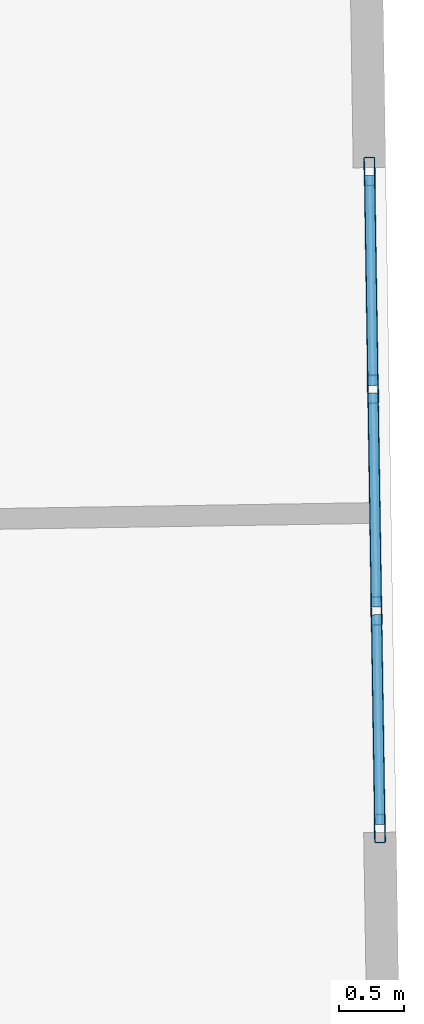
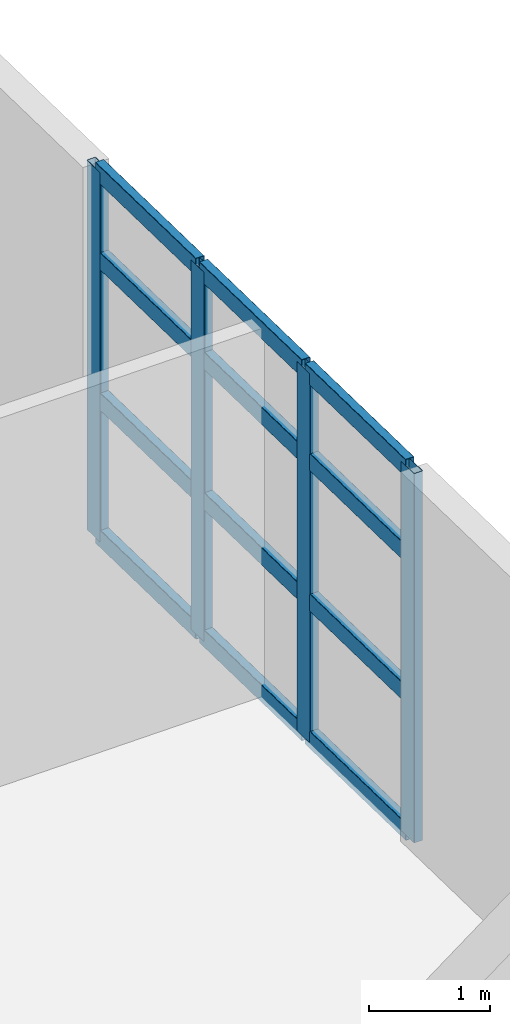
# One storey, part 6 of 18: 16 members, 1 element without a shape of its own.
"""IFC4 building model written with IfcOpenShell, lengths in metres."""

import ifcopenshell
import ifcopenshell.guid

model = None  # the IFC model being written
_history = None  # IfcOwnerHistory: only IFC2X3 demands one
_inside = {}  # id of a spatial element -> (the spatial element, [elements in it])
_under = {}  # id of a project, library or spatial element -> (it, [spatial elements below it])
_declared = {}  # id of a project -> (the project, [libraries it declares])
_typed = {}  # id of a type object -> (the type object, [elements of that type])
_made_of = {}  # id of a material, layer set ... -> (it, [elements and type objects made of it])


def new_model(schema):
    """Start an empty IFC model of exactly this schema.

    Asked for "IFC4X3", IfcOpenShell would pick the latest addendum, in which some entities
    have other attributes; the version numbers below select the first issue.
    IFC2X3 requires an IfcOwnerHistory on every rooted entity: one is made here for all.
    """
    global model, _history
    if schema == "IFC4X3":
        model = ifcopenshell.file(schema_version=(4, 3, 0, 0))
    else:
        model = ifcopenshell.file(schema=schema)
    _inside.clear()
    _under.clear()
    _declared.clear()
    _typed.clear()
    _made_of.clear()
    _history = None
    if model.schema == "IFC2X3":
        org = make("IfcOrganization", Name="unknown")
        user = make(
            "IfcPersonAndOrganization",
            ThePerson=make("IfcPerson", FamilyName="unknown"),
            TheOrganization=org,
        )
        app = make(
            "IfcApplication",
            ApplicationDeveloper=org,
            Version="unknown",
            ApplicationFullName="unknown",
            ApplicationIdentifier="unknown",
        )
        _history = make(
            "IfcOwnerHistory",
            OwningUser=user,
            OwningApplication=app,
            ChangeAction="ADDED",
            CreationDate=0,
        )
    return model


def make(cls, **values):
    """One entity of the class cls with the attributes given. An attribute that is None is left unset."""
    return model.create_entity(
        cls, **{name: value for name, value in values.items() if value is not None}
    )


def rooted(cls, **values):
    """An entity with a GlobalId (a new one), such as an element, a storey or a relation."""
    return make(cls, GlobalId=ifcopenshell.guid.new(), OwnerHistory=_history, **values)


def si_unit(unit_type, name, prefix=None):
    """IfcSIUnit, for example si_unit("LENGTHUNIT", "METRE", prefix="MILLI")."""
    return make("IfcSIUnit", UnitType=unit_type, Prefix=prefix, Name=name)


def assignment(units):
    """IfcUnitAssignment: the units of a project."""
    return None if units is None else make("IfcUnitAssignment", Units=units)


def point(xyz):
    """IfcCartesianPoint."""
    return None if xyz is None else make("IfcCartesianPoint", Coordinates=xyz)


def direction(xyz):
    """IfcDirection."""
    return None if xyz is None else make("IfcDirection", DirectionRatios=xyz)


def frame(location, z_axis=None, x_axis=None):
    """IfcAxis2Placement3D, a coordinate frame: its origin and axes. An axis left out is left unset."""
    return make(
        "IfcAxis2Placement3D",
        Location=point(location),
        Axis=direction(z_axis),
        RefDirection=direction(x_axis),
    )


def frame_2d(location, x_axis=None):
    """IfcAxis2Placement2D, a coordinate frame in the plane: its origin and x axis."""
    return make(
        "IfcAxis2Placement2D", Location=point(location), RefDirection=direction(x_axis)
    )


def origin():
    """The frame at (0, 0, 0) with its axes left unset."""
    return frame((0.0, 0.0, 0.0))


def origin_2d():
    """The frame at (0, 0) in the plane with its x axis left unset."""
    return frame_2d((0.0, 0.0))


def place(relative_to, where):
    """IfcLocalPlacement: puts the frame where relative to a parent placement (None: the world)."""
    return make(
        "IfcLocalPlacement", PlacementRelTo=relative_to, RelativePlacement=where
    )


def context(
    kind, dimensions, precision=None, world=None, true_north=None, identifier=None
):
    """IfcGeometricRepresentationContext, for example the 3D "Model" context."""
    return make(
        "IfcGeometricRepresentationContext",
        ContextIdentifier=identifier,
        ContextType=kind,
        CoordinateSpaceDimension=dimensions,
        Precision=precision,
        WorldCoordinateSystem=world,
        TrueNorth=true_north,
    )


def subcontext(parent, identifier, kind, view, scale=None):
    """IfcGeometricRepresentationSubContext, for example "Body" below "Model"."""
    return make(
        "IfcGeometricRepresentationSubContext",
        ContextIdentifier=identifier,
        ContextType=kind,
        ParentContext=parent,
        TargetScale=scale,
        TargetView=view,
    )


def project(units=None, contexts=None):
    """IfcProject with its units and contexts."""
    return rooted(
        "IfcProject",
        Name="project",
        RepresentationContexts=contexts,
        UnitsInContext=assignment(units),
    )


def spatial(cls, under=None, at=None, **own):
    """A site, building, storey or space (cls), placed at a placement, below another one or the project."""
    s = rooted(cls, ObjectPlacement=at, **own)
    if under is not None:
        _under.setdefault(under.id(), (under, []))[1].append(s)
    return s


def profile(cls, at=None, kind="AREA", **sizes):
    """A parametric profile (cls). Its sizes go by their IFC names, for example OverallWidth=200.0."""
    return make(cls, ProfileType=kind, Position=at, **sizes)


def hollow_rectangle(**sizes):
    """IfcRectangleHollowProfileDef."""
    return profile("IfcRectangleHollowProfileDef", **sizes)


def extrude(swept, where, along, depth):
    """IfcExtrudedAreaSolid: the profile swept, set in the frame where, extruded along a direction by depth."""
    return make(
        "IfcExtrudedAreaSolid",
        SweptArea=swept,
        Position=where,
        ExtrudedDirection=direction(along),
        Depth=depth,
    )


def shape(context_of_items, identifier, shape_type, items):
    """IfcShapeRepresentation: the items that make up one representation, for example the "Body"."""
    return make(
        "IfcShapeRepresentation",
        ContextOfItems=context_of_items,
        RepresentationIdentifier=identifier,
        RepresentationType=shape_type,
        Items=items,
    )


def material(Name=None, Category=None):
    """IfcMaterial."""
    return make("IfcMaterial", Name=Name, Category=Category)


def layer(
    of_material, thickness, ventilated=None, Name=None, Category=None, Priority=None
):
    """IfcMaterialLayer: one layer of a wall or slab, of a material (None: an air gap)."""
    return make(
        "IfcMaterialLayer",
        Material=of_material,
        LayerThickness=thickness,
        IsVentilated=ventilated,
        Name=Name,
        Category=Category,
        Priority=Priority,
    )


def layer_set(layers, Name=None):
    """IfcMaterialLayerSet."""
    return make("IfcMaterialLayerSet", MaterialLayers=layers, LayerSetName=Name)


def material_profile(
    of_material, cross_section, Name=None, Category=None, Priority=None
):
    """IfcMaterialProfile: a cross section and its material."""
    return make(
        "IfcMaterialProfile",
        Name=Name,
        Material=of_material,
        Profile=cross_section,
        Priority=Priority,
        Category=Category,
    )


def profile_set(profiles, Name=None, composite=None):
    """IfcMaterialProfileSet."""
    return make(
        "IfcMaterialProfileSet",
        Name=Name,
        MaterialProfiles=profiles,
        CompositeProfile=composite,
    )


def made_of(thing, what):
    """Note that an element or type object is made of a material, layer set ...; save() writes the relation."""
    if what is not None:
        _made_of.setdefault(what.id(), (what, []))[1].append(thing)
    return thing


def type_object(cls, material=None, **own):
    """A type object (cls), such as IfcWallType, which elements share."""
    return made_of(rooted(cls, **own), material)


def element(
    cls,
    number,
    at=None,
    inside=None,
    cuts=None,
    type_object=None,
    material=None,
    context=None,
    identifier="Body",
    shape_type=None,
    held_by="IfcProductDefinitionShape",
    body=None,
    shapes=None,
    **own,
):
    """One element of the class cls, such as IfcWall. Its Tag is "e" and its number.

    at: its placement. inside: the storey or other place that contains it. cuts: it is an
    opening in that element (IfcRelVoidsElement). A single representation is given by context,
    identifier, shape_type and body (its items); several are given by shapes. held_by: the class
    of the entity that holds the representations. save() writes the other relations.
    """
    e = rooted(cls, Tag="e%d" % number, ObjectPlacement=at, **own)
    if body is not None:
        shapes = [shape(context, identifier, shape_type, body)]
    if shapes is not None:
        e.Representation = make(held_by, Representations=shapes)
    if inside is not None:
        _inside.setdefault(inside.id(), (inside, []))[1].append(e)
    if cuts is not None:
        rooted(
            "IfcRelVoidsElement", RelatingBuildingElement=cuts, RelatedOpeningElement=e
        )
    if type_object is not None:
        _typed.setdefault(type_object.id(), (type_object, []))[1].append(e)
    return made_of(e, material)


def aggregate(whole, parts):
    """IfcRelAggregates: a whole, such as a stair, and the parts it consists of."""
    return rooted("IfcRelAggregates", RelatingObject=whole, RelatedObjects=parts)


def save(model, path):
    """Write the relations noted so far, then the file.

    IfcRelAggregates (storeys below a building ...), IfcRelContainedInSpatialStructure (elements
    in a storey), IfcRelDefinesByType, IfcRelAssociatesMaterial and IfcRelDeclares: one each for
    every whole, place, type object, material and project.
    """
    for whole, parts in _under.values():
        aggregate(whole, parts)
    for where, things in _inside.values():
        rooted(
            "IfcRelContainedInSpatialStructure",
            RelatedElements=things,
            RelatingStructure=where,
        )
    for kind, things in _typed.values():
        rooted("IfcRelDefinesByType", RelatedObjects=things, RelatingType=kind)
    for what, things in _made_of.values():
        rooted("IfcRelAssociatesMaterial", RelatedObjects=things, RelatingMaterial=what)
    for by, libraries in _declared.values():
        rooted("IfcRelDeclares", RelatingContext=by, RelatedDefinitions=libraries)
    model.write(path)


model = new_model("IFC4")

# Units and contexts
model_context = context("Model", 3, precision=1e-05, world=origin(), true_north=direction((0.0, 1.0)))
body_context = subcontext(model_context, "Body", "Model", "MODEL_VIEW")
ifc_project = project(units=[si_unit("LENGTHUNIT", "METRE"), si_unit("AREAUNIT", "SQUARE_METRE"), si_unit("VOLUMEUNIT", "CUBIC_METRE"), si_unit("PLANEANGLEUNIT", "RADIAN"), si_unit("MASSUNIT", "GRAM", prefix="KILO")], contexts=[model_context])

# Site, building, storey
site_placement = place(None, origin())
site = spatial("IfcSite", under=ifc_project, at=site_placement, CompositionType="ELEMENT")
building_placement = place(site_placement, origin())
building = spatial("IfcBuilding", under=site, at=building_placement, Name="Qingluan Cross Belvedere", CompositionType="ELEMENT")
storey_placement = place(building_placement, frame((0.0, 0.0, 303.89990234375)))
storey = spatial("IfcBuildingStorey", under=building, at=storey_placement, Name="L75", CompositionType="ELEMENT", Elevation=303.89990234375)

# Curtain wall, members
ifc_material_1 = material(Name="Thermally broken aluminium and Low-E glass", Category="aluminium")
ifc_layer = layer(ifc_material_1, 0.199951171875, Name="ObservationCW_SkyRestaurant")
ifc_layer_set = layer_set([ifc_layer], Name="Thermally broken aluminium and Low-E glass")
curtain_wall_type = type_object("IfcCurtainWallType", Name="ObservationCW_SkyRestaurant", PredefinedType="USERDEFINED", material=ifc_layer_set)
curtain_wall_placement = place(storey_placement, origin())
curtain_wall = element("IfcCurtainWall", 1, at=curtain_wall_placement, inside=storey, type_object=curtain_wall_type, Name="ObservationCW_SkyRestaurant run env:cw:L75:E", ObjectType="OBSERVATION GLAZING WALL", PredefinedType="USERDEFINED")
ifc_material_2 = material(Name="Aluminium alloy 6063-T6", Category="aluminium")
ifc_material_profile_1 = material_profile(ifc_material_2, hollow_rectangle(XDim=0.0849609375, YDim=0.219970703125, WallThickness=0.0048828125, InnerFilletRadius=0.0048828125, OuterFilletRadius=0.010009765625, at=origin_2d()), Name="CWM220x85x5")
ifc_profile_set_1 = profile_set([ifc_material_profile_1], Name="Aluminium alloy 6063-T6")
member_type_1 = type_object("IfcMemberType", Name="CWMullion_220", PredefinedType="MULLION", material=ifc_profile_set_1)
member_1_placement = place(storey_placement, frame((21.4169921875, -2.19189453125, 0.0), z_axis=(0.0, 0.0, 1.0), x_axis=(-0.999876813918, -0.015695763417, 0.0)))
member_1 = element("IfcMember", 2, at=member_1_placement, type_object=member_type_1, Name="CW-C2 mullion 1", PredefinedType="MULLION", context=body_context, shape_type="SweptSolid", body=[
    extrude(hollow_rectangle(XDim=0.0849609375, YDim=0.219970703125, WallThickness=0.0048828125, InnerFilletRadius=0.0048828125, OuterFilletRadius=0.010009765625, at=origin_2d()), origin(), (0.0, 0.0, 1.0), 3.72998046875),
])
member_2_placement = place(storey_placement, frame((21.390625, -0.516845703125, 0.0), z_axis=(0.0, 0.0, 1.0), x_axis=(-0.999876813918, -0.015695763417, 0.0)))
member_2 = element("IfcMember", 3, at=member_2_placement, type_object=member_type_1, Name="CW-C2 mullion 2", PredefinedType="MULLION", context=body_context, shape_type="SweptSolid", body=[
    extrude(hollow_rectangle(XDim=0.0849609375, YDim=0.219970703125, WallThickness=0.0048828125, InnerFilletRadius=0.0048828125, OuterFilletRadius=0.010009765625, at=origin_2d()), origin(), (0.0, 0.0, 1.0), 3.72998046875),
])
member_3_placement = place(storey_placement, frame((21.364013671875, 1.1884765625, 0.0), z_axis=(0.0, 0.0, 1.0), x_axis=(-0.999876813918, -0.015695763417, 0.0)))
member_3 = element("IfcMember", 4, at=member_3_placement, type_object=member_type_1, Name="CW-C2 mullion 3", PredefinedType="MULLION", context=body_context, shape_type="SweptSolid", body=[
    extrude(hollow_rectangle(XDim=0.0849609375, YDim=0.219970703125, WallThickness=0.0048828125, InnerFilletRadius=0.0048828125, OuterFilletRadius=0.010009765625, at=origin_2d()), origin(), (0.0, 0.0, 1.0), 3.72998046875),
])
member_4_placement = place(storey_placement, frame((21.337646484375, 2.863525390625, 0.0), z_axis=(0.0, 0.0, 1.0), x_axis=(-0.999876813918, -0.015695763417, 0.0)))
member_4 = element("IfcMember", 5, at=member_4_placement, type_object=member_type_1, Name="CW-C2 mullion 4", PredefinedType="MULLION", context=body_context, shape_type="SweptSolid", body=[
    extrude(hollow_rectangle(XDim=0.0849609375, YDim=0.219970703125, WallThickness=0.0048828125, InnerFilletRadius=0.0048828125, OuterFilletRadius=0.010009765625, at=origin_2d()), origin(), (0.0, 0.0, 1.0), 3.72998046875),
])
ifc_material_3 = material(Name="Aluminium alloy 6063-T6", Category="aluminium")
ifc_material_profile_2 = material_profile(ifc_material_3, hollow_rectangle(XDim=0.0849609375, YDim=0.179931640625, WallThickness=0.00390625, InnerFilletRadius=0.00390625, OuterFilletRadius=0.008056640625, at=origin_2d()), Name="CWT180x85x4")
ifc_profile_set_2 = profile_set([ifc_material_profile_2], Name="Aluminium alloy 6063-T6")
member_type_2 = type_object("IfcMemberType", Name="CWTransom_180", PredefinedType="USERDEFINED", material=ifc_profile_set_2)
member_5_placement = place(storey_placement, frame((21.41650390625, -2.161865234375, 0.030029296875), z_axis=(-0.015719901619, 0.999876434712, 0.0), x_axis=(-0.999876434712, -0.015719901619, 0.0)))
member_5 = element("IfcMember", 6, at=member_5_placement, type_object=member_type_2, Name="CW-C2 transom 1.1", ObjectType="TRANSOM", PredefinedType="USERDEFINED", context=body_context, shape_type="SweptSolid", body=[
    extrude(hollow_rectangle(XDim=0.0849609375, YDim=0.179931640625, WallThickness=0.00390625, InnerFilletRadius=0.00390625, OuterFilletRadius=0.008056640625, at=origin_2d()), origin(), (0.0, 0.0, 1.0), 1.615234375),
])
member_6_placement = place(storey_placement, frame((21.41650390625, -2.161865234375, 1.4169921875), z_axis=(-0.015719901619, 0.999876434712, 0.0), x_axis=(-0.999876434712, -0.015719901619, 0.0)))
member_6 = element("IfcMember", 7, at=member_6_placement, type_object=member_type_2, Name="CW-C2 transom 1.2", ObjectType="TRANSOM", PredefinedType="USERDEFINED", context=body_context, shape_type="SweptSolid", body=[
    extrude(hollow_rectangle(XDim=0.0849609375, YDim=0.179931640625, WallThickness=0.00390625, InnerFilletRadius=0.00390625, OuterFilletRadius=0.008056640625, at=origin_2d()), origin(), (0.0, 0.0, 1.0), 1.615234375),
])
member_7_placement = place(storey_placement, frame((21.41650390625, -2.161865234375, 2.835205078125), z_axis=(-0.015719901619, 0.999876434712, 0.0), x_axis=(-0.999876434712, -0.015719901619, 0.0)))
member_7 = element("IfcMember", 8, at=member_7_placement, type_object=member_type_2, Name="CW-C2 transom 1.3", ObjectType="TRANSOM", PredefinedType="USERDEFINED", context=body_context, shape_type="SweptSolid", body=[
    extrude(hollow_rectangle(XDim=0.0849609375, YDim=0.179931640625, WallThickness=0.00390625, InnerFilletRadius=0.00390625, OuterFilletRadius=0.008056640625, at=origin_2d()), origin(), (0.0, 0.0, 1.0), 1.615234375),
])
member_8_placement = place(storey_placement, frame((21.41650390625, -2.161865234375, 3.7001953125), z_axis=(-0.015719901619, 0.999876434712, 0.0), x_axis=(-0.999876434712, -0.015719901619, 0.0)))
member_8 = element("IfcMember", 9, at=member_8_placement, type_object=member_type_2, Name="CW-C2 transom 1.4", ObjectType="TRANSOM", PredefinedType="USERDEFINED", context=body_context, shape_type="SweptSolid", body=[
    extrude(hollow_rectangle(XDim=0.0849609375, YDim=0.179931640625, WallThickness=0.00390625, InnerFilletRadius=0.00390625, OuterFilletRadius=0.008056640625, at=origin_2d()), origin(), (0.0, 0.0, 1.0), 1.615234375),
])
member_9_placement = place(storey_placement, frame((21.390380859375, -0.48681640625, 0.030029296875), z_axis=(-0.015727391244, 0.999876316934, 0.0), x_axis=(-0.999876316934, -0.015727391244, 0.0)))
member_9 = element("IfcMember", 10, at=member_9_placement, type_object=member_type_2, Name="CW-C2 transom 2.1", ObjectType="TRANSOM", PredefinedType="USERDEFINED", context=body_context, shape_type="SweptSolid", body=[
    extrude(hollow_rectangle(XDim=0.0849609375, YDim=0.179931640625, WallThickness=0.00390625, InnerFilletRadius=0.00390625, OuterFilletRadius=0.008056640625, at=origin_2d()), origin(), (0.0, 0.0, 1.0), 1.6455078125),
])
member_10_placement = place(storey_placement, frame((21.390380859375, -0.48681640625, 1.4169921875), z_axis=(-0.015727391244, 0.999876316934, 0.0), x_axis=(-0.999876316934, -0.015727391244, 0.0)))
member_10 = element("IfcMember", 11, at=member_10_placement, type_object=member_type_2, Name="CW-C2 transom 2.2", ObjectType="TRANSOM", PredefinedType="USERDEFINED", context=body_context, shape_type="SweptSolid", body=[
    extrude(hollow_rectangle(XDim=0.0849609375, YDim=0.179931640625, WallThickness=0.00390625, InnerFilletRadius=0.00390625, OuterFilletRadius=0.008056640625, at=origin_2d()), origin(), (0.0, 0.0, 1.0), 1.6455078125),
])
member_11_placement = place(storey_placement, frame((21.390380859375, -0.48681640625, 2.835205078125), z_axis=(-0.015727391244, 0.999876316934, 0.0), x_axis=(-0.999876316934, -0.015727391244, 0.0)))
member_11 = element("IfcMember", 12, at=member_11_placement, type_object=member_type_2, Name="CW-C2 transom 2.3", ObjectType="TRANSOM", PredefinedType="USERDEFINED", context=body_context, shape_type="SweptSolid", body=[
    extrude(hollow_rectangle(XDim=0.0849609375, YDim=0.179931640625, WallThickness=0.00390625, InnerFilletRadius=0.00390625, OuterFilletRadius=0.008056640625, at=origin_2d()), origin(), (0.0, 0.0, 1.0), 1.6455078125),
])
member_12_placement = place(storey_placement, frame((21.390380859375, -0.48681640625, 3.7001953125), z_axis=(-0.015727391244, 0.999876316934, 0.0), x_axis=(-0.999876316934, -0.015727391244, 0.0)))
member_12 = element("IfcMember", 13, at=member_12_placement, type_object=member_type_2, Name="CW-C2 transom 2.4", ObjectType="TRANSOM", PredefinedType="USERDEFINED", context=body_context, shape_type="SweptSolid", body=[
    extrude(hollow_rectangle(XDim=0.0849609375, YDim=0.179931640625, WallThickness=0.00390625, InnerFilletRadius=0.00390625, OuterFilletRadius=0.008056640625, at=origin_2d()), origin(), (0.0, 0.0, 1.0), 1.6455078125),
])
member_13_placement = place(storey_placement, frame((21.363525390625, 1.21826171875, 0.030029296875), z_axis=(-0.015717526163, 0.999876472056, 0.0), x_axis=(-0.999876472056, -0.015717526163, 0.0)))
member_13 = element("IfcMember", 14, at=member_13_placement, type_object=member_type_2, Name="CW-C2 transom 3.1", ObjectType="TRANSOM", PredefinedType="USERDEFINED", context=body_context, shape_type="SweptSolid", body=[
    extrude(hollow_rectangle(XDim=0.0849609375, YDim=0.179931640625, WallThickness=0.00390625, InnerFilletRadius=0.00390625, OuterFilletRadius=0.008056640625, at=origin_2d()), origin(), (0.0, 0.0, 1.0), 1.615478515625),
])
member_14_placement = place(storey_placement, frame((21.363525390625, 1.21826171875, 1.4169921875), z_axis=(-0.015717526163, 0.999876472056, 0.0), x_axis=(-0.999876472056, -0.015717526163, 0.0)))
member_14 = element("IfcMember", 15, at=member_14_placement, type_object=member_type_2, Name="CW-C2 transom 3.2", ObjectType="TRANSOM", PredefinedType="USERDEFINED", context=body_context, shape_type="SweptSolid", body=[
    extrude(hollow_rectangle(XDim=0.0849609375, YDim=0.179931640625, WallThickness=0.00390625, InnerFilletRadius=0.00390625, OuterFilletRadius=0.008056640625, at=origin_2d()), origin(), (0.0, 0.0, 1.0), 1.615478515625),
])
member_15_placement = place(storey_placement, frame((21.363525390625, 1.21826171875, 2.835205078125), z_axis=(-0.015717526163, 0.999876472056, 0.0), x_axis=(-0.999876472056, -0.015717526163, 0.0)))
member_15 = element("IfcMember", 16, at=member_15_placement, type_object=member_type_2, Name="CW-C2 transom 3.3", ObjectType="TRANSOM", PredefinedType="USERDEFINED", context=body_context, shape_type="SweptSolid", body=[
    extrude(hollow_rectangle(XDim=0.0849609375, YDim=0.179931640625, WallThickness=0.00390625, InnerFilletRadius=0.00390625, OuterFilletRadius=0.008056640625, at=origin_2d()), origin(), (0.0, 0.0, 1.0), 1.615478515625),
])
member_16_placement = place(storey_placement, frame((21.363525390625, 1.21826171875, 3.7001953125), z_axis=(-0.015717526163, 0.999876472056, 0.0), x_axis=(-0.999876472056, -0.015717526163, 0.0)))
member_16 = element("IfcMember", 17, at=member_16_placement, type_object=member_type_2, Name="CW-C2 transom 3.4", ObjectType="TRANSOM", PredefinedType="USERDEFINED", context=body_context, shape_type="SweptSolid", body=[
    extrude(hollow_rectangle(XDim=0.0849609375, YDim=0.179931640625, WallThickness=0.00390625, InnerFilletRadius=0.00390625, OuterFilletRadius=0.008056640625, at=origin_2d()), origin(), (0.0, 0.0, 1.0), 1.615478515625),
])
aggregate(curtain_wall, [member_1, member_2, member_3, member_4, member_5, member_6, member_7, member_8, member_9, member_10, member_11, member_12, member_13, member_14, member_15, member_16])

save(model, "model.ifc")
